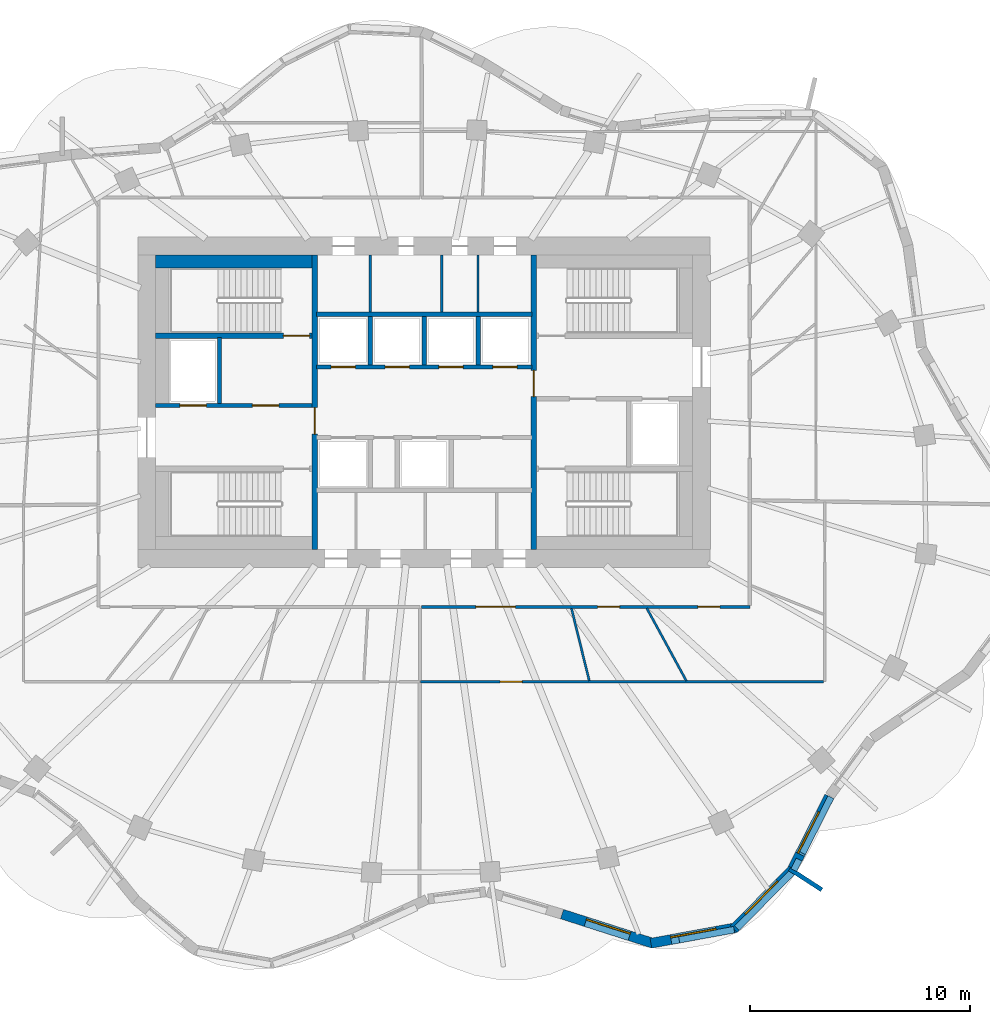
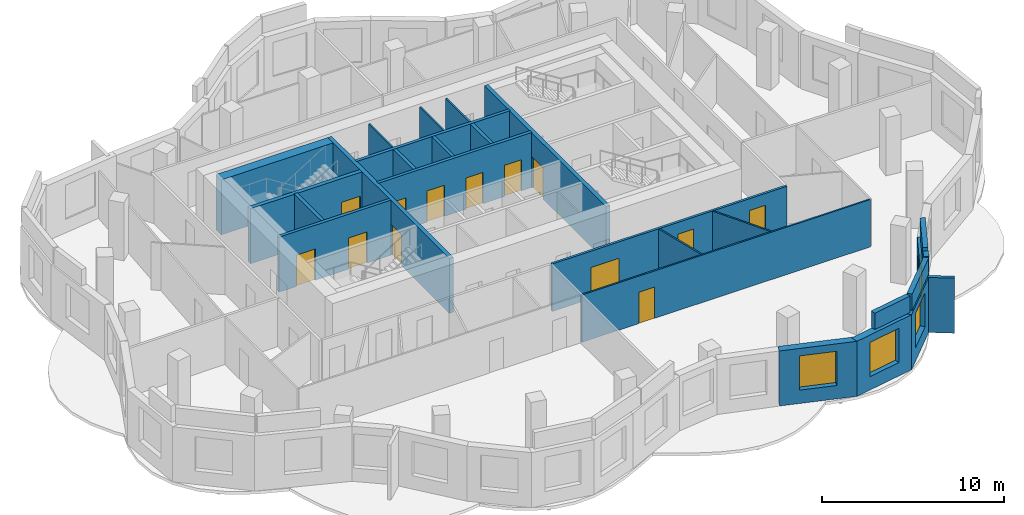
# One storey, part 5 of 10: 27 walls, 13 doors, 4 windows, 17 openings.
"""IFC4 building model written with IfcOpenShell, lengths in metres."""

from ifc_helpers import new_model, si_unit, direction, frame, frame_2d, origin, place, context, subcontext, project, spatial, rectangle, extrude, material, layer, layer_set, type_object, element, fill, save


model = new_model("IFC4")

# Units and contexts
model_context = context("Model", 3, precision=1e-05, world=origin(), true_north=direction((0.0, 1.0)))
body_context = subcontext(model_context, "Body", "Model", "MODEL_VIEW")
ifc_project = project(units=[si_unit("LENGTHUNIT", "METRE"), si_unit("AREAUNIT", "SQUARE_METRE"), si_unit("VOLUMEUNIT", "CUBIC_METRE"), si_unit("PLANEANGLEUNIT", "RADIAN"), si_unit("MASSUNIT", "GRAM", prefix="KILO")], contexts=[model_context])

# Site, building, storey
site_placement = place(None, origin())
site = spatial("IfcSite", under=ifc_project, at=site_placement, CompositionType="ELEMENT")
building_placement = place(site_placement, origin())
building = spatial("IfcBuilding", under=site, at=building_placement, Name="Rubra Terraces Tower", CompositionType="ELEMENT")
storey_placement = place(building_placement, frame((0.0, 0.0, 296.10009765625)))
storey = spatial("IfcBuildingStorey", under=building, at=storey_placement, Name="L73", CompositionType="ELEMENT", Elevation=296.10009765625)

# Wall, opening, window
ifc_material_1 = material(Name="Brick masonry red-brown", Category="masonry")
ifc_layer_1 = layer(ifc_material_1, 0.449951171875)
ifc_layer_set_1 = layer_set([ifc_layer_1], Name="Brick masonry red-brown")
wall_type_1 = type_object("IfcWallType", Name="Brick facade wall 450", PredefinedType="SOLIDWALL", material=ifc_layer_set_1)
wall_1_placement = place(storey_placement, frame((6.264404296875, -18.758544921875, 0.0), z_axis=(0.0, 0.0, 1.0), x_axis=(0.952259303219, -0.305290385423, 0.0)))
wall_1 = element("IfcWall", 1, at=wall_1_placement, inside=storey, type_object=wall_type_1, Name="Facade wall L73 bay 33", PredefinedType="SOLIDWALL", context=body_context, shape_type="SweptSolid", body=[
    extrude(rectangle(XDim=4.354248046875, YDim=0.449951171875, at=frame_2d((2.17724609375, 0.0))), origin(), (0.0, 0.0, 1.0), 3.699951171875),
])
opening_1_placement = place(wall_1_placement, frame((1.127197265625, 0.0, 0.89990234375)))
opening_1 = element("IfcOpeningElement", 2, at=opening_1_placement, cuts=wall_1, Name="Opening W1B", PredefinedType="OPENING", context=body_context, shape_type="SweptSolid", body=[
    extrude(rectangle(XDim=2.10009765625, YDim=2.300048828125, at=frame_2d((1.050048828125, 1.14990234375))), frame((0.0, 0.23486328125, 0.0), z_axis=(0.0, -1.0, 0.0), x_axis=(1.0, 0.0, 0.0)), (0.0, 0.0, 1.0), 0.469970703125),
])
ifc_material_2 = material(Name="Clear glass in aluminium frame", Category="aluminium")
window_type = type_object("IfcWindowType", Name="Fixed deep-set window tall storey 2100 x 2300", PartitioningType="SINGLE_PANEL", PredefinedType="WINDOW", material=ifc_material_2)
window_1_placement = place(opening_1_placement, origin())
window_1 = element("IfcWindow", 3, at=window_1_placement, inside=storey, type_object=window_type, Name="Window L73 bay 33", OverallHeight=2.300048828125, OverallWidth=2.10009765625, PartitioningType="SINGLE_PANEL", PredefinedType="WINDOW", context=body_context, shape_type="SweptSolid", body=[
    extrude(rectangle(XDim=2.10009765625, YDim=2.300048828125, at=frame_2d((1.050048828125, 1.14990234375))), frame((0.0, 0.135009765625, 0.0), z_axis=(0.0, -1.0, 0.0), x_axis=(1.0, 0.0, 0.0)), (0.0, 0.0, 1.0), 0.06005859375),
])
fill(opening_1, window_1)

wall_2_placement = place(storey_placement, frame((10.304443359375, -20.081787109375, 0.0), z_axis=(0.0, 0.0, 1.0), x_axis=(0.983644868335, 0.180118774698, 0.0)))
wall_2 = element("IfcWall", 4, at=wall_2_placement, inside=storey, type_object=wall_type_1, Name="Facade wall L73 bay 34", PredefinedType="SOLIDWALL", context=body_context, shape_type="SweptSolid", body=[
    extrude(rectangle(XDim=3.953857421875, YDim=0.449951171875, at=frame_2d((1.97705078125, 0.0))), origin(), (0.0, 0.0, 1.0), 3.699951171875),
])
opening_2_placement = place(wall_2_placement, frame((0.9267578125, 0.0, 0.89990234375)))
opening_2 = element("IfcOpeningElement", 5, at=opening_2_placement, cuts=wall_2, Name="Opening W1B", PredefinedType="OPENING", context=body_context, shape_type="SweptSolid", body=[
    extrude(rectangle(XDim=2.10009765625, YDim=2.300048828125, at=frame_2d((1.050048828125, 1.14990234375))), frame((0.0, 0.23486328125, 0.0), z_axis=(0.0, -1.0, 0.0), x_axis=(1.0, 0.0, 0.0)), (0.0, 0.0, 1.0), 0.469970703125),
])
window_2_placement = place(opening_2_placement, origin())
window_2 = element("IfcWindow", 6, at=window_2_placement, inside=storey, type_object=window_type, Name="Window L73 bay 34", OverallHeight=2.300048828125, OverallWidth=2.10009765625, PartitioningType="SINGLE_PANEL", PredefinedType="WINDOW", context=body_context, shape_type="SweptSolid", body=[
    extrude(rectangle(XDim=2.10009765625, YDim=2.300048828125, at=frame_2d((1.050048828125, 1.14990234375))), frame((0.0, 0.135009765625, 0.0), z_axis=(0.0, -1.0, 0.0), x_axis=(1.0, 0.0, 0.0)), (0.0, 0.0, 1.0), 0.06005859375),
])
fill(opening_2, window_2)

wall_3_placement = place(storey_placement, frame((14.073974609375, -19.432861328125, 0.0), z_axis=(0.0, 0.0, 1.0), x_axis=(0.702451084622, 0.711732023808, 0.0)))
wall_3 = element("IfcWall", 7, at=wall_3_placement, inside=storey, type_object=wall_type_1, Name="Facade wall L73 bay 35", PredefinedType="SOLIDWALL", context=body_context, shape_type="SweptSolid", body=[
    extrude(rectangle(XDim=3.7880859375, YDim=0.449951171875, at=frame_2d((1.89404296875, 0.0))), origin(), (0.0, 0.0, 1.0), 3.699951171875),
])
opening_3_placement = place(wall_3_placement, frame((0.843994140625, 0.0, 0.89990234375)))
opening_3 = element("IfcOpeningElement", 8, at=opening_3_placement, cuts=wall_3, Name="Opening W1B", PredefinedType="OPENING", context=body_context, shape_type="SweptSolid", body=[
    extrude(rectangle(XDim=2.10009765625, YDim=2.300048828125, at=frame_2d((1.050048828125, 1.14990234375))), frame((0.0, 0.23486328125, 0.0), z_axis=(0.0, -1.0, 0.0), x_axis=(1.0, 0.0, 0.0)), (0.0, 0.0, 1.0), 0.469970703125),
])
window_3_placement = place(opening_3_placement, origin())
window_3 = element("IfcWindow", 9, at=window_3_placement, inside=storey, type_object=window_type, Name="Window L73 bay 35", OverallHeight=2.300048828125, OverallWidth=2.10009765625, PartitioningType="SINGLE_PANEL", PredefinedType="WINDOW", context=body_context, shape_type="SweptSolid", body=[
    extrude(rectangle(XDim=2.10009765625, YDim=2.300048828125, at=frame_2d((1.050048828125, 1.14990234375))), frame((0.0, 0.135009765625, 0.0), z_axis=(0.0, -1.0, 0.0), x_axis=(1.0, 0.0, 0.0)), (0.0, 0.0, 1.0), 0.06005859375),
])
fill(opening_3, window_3)

wall_4_placement = place(storey_placement, frame((16.697021484375, -16.7880859375, 0.0), z_axis=(0.0, 0.0, 1.0), x_axis=(0.453390768189, 0.891311848525, 0.0)))
wall_4 = element("IfcWall", 10, at=wall_4_placement, inside=storey, type_object=wall_type_1, Name="Facade wall L73 bay 36", PredefinedType="SOLIDWALL", context=body_context, shape_type="SweptSolid", body=[
    extrude(rectangle(XDim=3.78759765625, YDim=0.449951171875, at=frame_2d((1.893798828125, 0.0))), origin(), (0.0, 0.0, 1.0), 3.699951171875),
])
opening_4_placement = place(wall_4_placement, frame((0.843994140625, 0.0, 0.89990234375)))
opening_4 = element("IfcOpeningElement", 11, at=opening_4_placement, cuts=wall_4, Name="Opening W1B", PredefinedType="OPENING", context=body_context, shape_type="SweptSolid", body=[
    extrude(rectangle(XDim=2.10009765625, YDim=2.300048828125, at=frame_2d((1.050048828125, 1.14990234375))), frame((0.0, 0.23486328125, 0.0), z_axis=(0.0, -1.0, 0.0), x_axis=(1.0, 0.0, 0.0)), (0.0, 0.0, 1.0), 0.469970703125),
])
window_4_placement = place(opening_4_placement, origin())
window_4 = element("IfcWindow", 12, at=window_4_placement, inside=storey, type_object=window_type, Name="Window L73 bay 36", OverallHeight=2.300048828125, OverallWidth=2.10009765625, PartitioningType="SINGLE_PANEL", PredefinedType="WINDOW", context=body_context, shape_type="SweptSolid", body=[
    extrude(rectangle(XDim=2.10009765625, YDim=2.300048828125, at=frame_2d((1.050048828125, 1.14990234375))), frame((0.0, 0.135009765625, 0.0), z_axis=(0.0, -1.0, 0.0), x_axis=(1.0, 0.0, 0.0)), (0.0, 0.0, 1.0), 0.06005859375),
])
fill(opening_4, window_4)

# Walls
ifc_layer_2 = layer(ifc_material_1, 0.300048828125)
ifc_layer_set_2 = layer_set([ifc_layer_2], Name="Brick masonry red-brown")
wall_type_2 = type_object("IfcWallType", Name="Brick parapet 300", PredefinedType="PARAPET", material=ifc_layer_set_2)
wall_5_placement = place(storey_placement, frame((11.586669921875, -19.923095703125, 3.89990234375), z_axis=(0.0, 0.0, 1.0), x_axis=(0.983652285329, 0.180078265118, 0.0)))
element("IfcWall", 13, at=wall_5_placement, inside=storey, type_object=wall_type_2, Name="Parapet L73 bay 34", PredefinedType="PARAPET", context=body_context, shape_type="SweptSolid", body=[
    extrude(rectangle(XDim=2.539306640625, YDim=0.300048828125, at=frame_2d((1.26953125, 0.0))), origin(), (0.0, 0.0, 1.0), 1.10009765625),
])
wall_6_placement = place(storey_placement, frame((14.21484375, -19.39697265625, 3.89990234375), z_axis=(0.0, 0.0, 1.0), x_axis=(0.702463448063, 0.711719821373, 0.0)))
element("IfcWall", 14, at=wall_6_placement, inside=storey, type_object=wall_type_2, Name="Parapet L73 bay 35", PredefinedType="PARAPET", context=body_context, shape_type="SweptSolid", body=[
    extrude(rectangle(XDim=3.587158203125, YDim=0.300048828125, at=frame_2d((1.79345703125, 0.0))), origin(), (0.0, 0.0, 1.0), 1.10009765625),
])
wall_7_placement = place(storey_placement, frame((16.796142578125, -16.758544921875, 3.89990234375), z_axis=(0.0, 0.0, 1.0), x_axis=(0.453387528551, 0.89131349645, 0.0)))
element("IfcWall", 15, at=wall_7_placement, inside=storey, type_object=wall_type_2, Name="Parapet L73 bay 36", PredefinedType="PARAPET", context=body_context, shape_type="SweptSolid", body=[
    extrude(rectangle(XDim=0.536865234375, YDim=0.300048828125, at=frame_2d((0.2685546875, 0.0))), origin(), (0.0, 0.0, 1.0), 1.10009765625),
])
wall_8_placement = place(storey_placement, frame((17.18896484375, -15.986083984375, 3.89990234375), z_axis=(0.0, 0.0, 1.0), x_axis=(0.453374811941, 0.891319964938, 0.0)))
element("IfcWall", 16, at=wall_8_placement, inside=storey, type_object=wall_type_2, Name="Parapet L73 bay 36.2", PredefinedType="PARAPET", context=body_context, shape_type="SweptSolid", body=[
    extrude(rectangle(XDim=2.84814453125, YDim=0.300048828125, at=frame_2d((1.424072265625, 0.0))), origin(), (0.0, 0.0, 1.0), 1.10009765625),
])
ifc_layer_3 = layer(ifc_material_1, 0.199951171875)
ifc_layer_set_3 = layer_set([ifc_layer_3], Name="Brick masonry red-brown")
wall_type_3 = type_object("IfcWallType", Name="Brick wind fin 200", PredefinedType="SOLIDWALL", material=ifc_layer_set_3)
wall_9_placement = place(storey_placement, frame((16.60205078125, -16.702880859375, 0.0), z_axis=(0.0, 0.0, 1.0), x_axis=(0.8390232549, -0.54409555938, 0.0)))
element("IfcWall", 17, at=wall_9_placement, inside=storey, type_object=wall_type_3, Name="Wind fin L73 18", PredefinedType="SOLIDWALL", context=body_context, shape_type="SweptSolid", body=[
    extrude(rectangle(XDim=1.75, YDim=0.199951171875, at=frame_2d((0.875, 0.0))), origin(), (0.0, 0.0, 1.0), 3.699951171875),
])

# Wall, openings, doors
ifc_material_3 = material(Name="Plasterboard on steel stud, mineral wool infill", Category="steel")
ifc_layer_4 = layer(ifc_material_3, 0.14990234375)
ifc_layer_set_4 = layer_set([ifc_layer_4], Name="Plasterboard on steel stud, mineral wool infill")
wall_type_4 = type_object("IfcWallType", Name="CORRIDOR PARTITION 150", PredefinedType="PARTITIONING", material=ifc_layer_set_4)
wall_10_placement = place(storey_placement, frame((-0.1103515625, -4.800048828125, 0.0), z_axis=(0.0, 0.0, 1.0), x_axis=(1.0, 0.0, 0.0)))
wall_10 = element("IfcWall", 18, at=wall_10_placement, inside=storey, type_object=wall_type_4, Name="PARTITION", PredefinedType="PARTITIONING", context=body_context, shape_type="SweptSolid", body=[
    extrude(rectangle(XDim=14.910400390625, YDim=0.14990234375, at=frame_2d((7.455078125, 0.0))), origin(), (0.0, 0.0, 1.0), 3.197998046875),
])
opening_5_placement = place(wall_10_placement, frame((2.45703125, 0.0, 0.0)))
opening_5 = element("IfcOpeningElement", 19, at=opening_5_placement, cuts=wall_10, Name="Opening 73-118", PredefinedType="OPENING", context=body_context, shape_type="SweptSolid", body=[
    extrude(rectangle(XDim=1.800048828125, YDim=2.10009765625, at=frame_2d((0.89990234375, 1.050048828125))), frame((0.0, 0.0849609375, 0.0), z_axis=(0.0, -1.0, 0.0), x_axis=(1.0, 0.0, 0.0)), (0.0, 0.0, 1.0), 0.169921875),
])
opening_6_placement = place(wall_10_placement, frame((7.991943359375, 0.0, 0.0)))
opening_6 = element("IfcOpeningElement", 20, at=opening_6_placement, cuts=wall_10, Name="Opening 73-120", PredefinedType="OPENING", context=body_context, shape_type="SweptSolid", body=[
    extrude(rectangle(XDim=1.0, YDim=2.39990234375, at=frame_2d((0.5, 1.199951171875))), frame((0.0, 0.0849609375, 0.0), z_axis=(0.0, -1.0, 0.0), x_axis=(1.0, 0.0, 0.0)), (0.0, 0.0, 1.0), 0.169921875),
])
opening_7_placement = place(wall_10_placement, frame((12.549072265625, 0.0, 0.0)))
opening_7 = element("IfcOpeningElement", 21, at=opening_7_placement, cuts=wall_10, Name="Opening 73-121", PredefinedType="OPENING", context=body_context, shape_type="SweptSolid", body=[
    extrude(rectangle(XDim=1.0, YDim=2.39990234375, at=frame_2d((0.5, 1.199951171875))), frame((0.0, 0.0849609375, 0.0), z_axis=(0.0, -1.0, 0.0), x_axis=(1.0, 0.0, 0.0)), (0.0, 0.0, 1.0), 0.169921875),
])
ifc_material_4 = material(Name="Glazed aluminium meeting door leaf", Category="aluminium")
door_type_1 = type_object("IfcDoorType", Name="MEETING ROOM GLAZED DOOR 1000 X 2400", OperationType="SINGLE_SWING_LEFT", PredefinedType="DOOR", material=ifc_material_4)
door_1_placement = place(opening_6_placement, origin())
door_1 = element("IfcDoor", 22, at=door_1_placement, inside=storey, type_object=door_type_1, Name="DOOR 73-120", OperationType="SINGLE_SWING_RIGHT", OverallHeight=2.39990234375, OverallWidth=1.0, PredefinedType="DOOR", context=body_context, shape_type="SweptSolid", body=[
    extrude(rectangle(XDim=1.0, YDim=2.39990234375, at=frame_2d((0.5, 1.199951171875))), frame((0.0, 0.02490234375, 0.0), z_axis=(0.0, -1.0, 0.0), x_axis=(1.0, 0.0, 0.0)), (0.0, 0.0, 1.0), 0.050048828125),
])
fill(opening_6, door_1)
door_2_placement = place(opening_7_placement, origin())
door_2 = element("IfcDoor", 23, at=door_2_placement, inside=storey, type_object=door_type_1, Name="DOOR 73-121", OperationType="SINGLE_SWING_RIGHT", OverallHeight=2.39990234375, OverallWidth=1.0, PredefinedType="DOOR", context=body_context, shape_type="SweptSolid", body=[
    extrude(rectangle(XDim=1.0, YDim=2.39990234375, at=frame_2d((0.5, 1.199951171875))), frame((0.0, 0.02490234375, 0.0), z_axis=(0.0, -1.0, 0.0), x_axis=(1.0, 0.0, 0.0)), (0.0, 0.0, 1.0), 0.050048828125),
])
fill(opening_7, door_2)
ifc_material_5 = material(Name="Painted timber door leaf, double", Category="wood")
door_type_2 = type_object("IfcDoorType", Name="ROOM DOUBLE DOOR 1800 X 2100", OperationType="DOUBLE_DOOR_SINGLE_SWING", PredefinedType="DOOR", material=ifc_material_5)
door_3_placement = place(opening_5_placement, origin())
door_3 = element("IfcDoor", 24, at=door_3_placement, inside=storey, type_object=door_type_2, Name="DOOR 73-118", OperationType="DOUBLE_DOOR_SINGLE_SWING", OverallHeight=2.10009765625, OverallWidth=1.800048828125, PredefinedType="DOOR", context=body_context, shape_type="SweptSolid", body=[
    extrude(rectangle(XDim=1.800048828125, YDim=2.10009765625, at=frame_2d((0.89990234375, 1.050048828125))), frame((0.0, 0.02490234375, 0.0), z_axis=(0.0, -1.0, 0.0), x_axis=(1.0, 0.0, 0.0)), (0.0, 0.0, 1.0), 0.050048828125),
])
fill(opening_5, door_3)

# Wall
ifc_material_6 = material(Name="Concrete C40", Category="concrete")
ifc_layer_5 = layer(ifc_material_6, 0.60009765625)
ifc_layer_set_5 = layer_set([ifc_layer_5], Name="Concrete C40")
wall_type_5 = type_object("IfcWallType", Name="Core lining wall 600 concrete", PredefinedType="SOLIDWALL", material=ifc_layer_set_5)
wall_11_placement = place(storey_placement, frame((-12.199951171875, 10.89990234375, 0.0), z_axis=(0.0, 0.0, 1.0), x_axis=(1.0, 0.0, 0.0)))
element("IfcWall", 25, at=wall_11_placement, inside=storey, type_object=wall_type_5, Name="CORE LINING WALL L73", PredefinedType="SOLIDWALL", context=body_context, shape_type="SweptSolid", body=[
    extrude(rectangle(XDim=7.099853515625, YDim=0.60009765625, at=frame_2d((3.5498046875, 0.0))), origin(), (0.0, 0.0, 1.0), 3.699951171875),
])

# Wall, openings, doors
ifc_material_7 = material(Name="Concrete C30", Category="concrete")
ifc_layer_6 = layer(ifc_material_7, 0.199951171875)
ifc_layer_set_6 = layer_set([ifc_layer_6], Name="Concrete C30")
wall_type_6 = type_object("IfcWallType", Name="Core wall 200 concrete", PredefinedType="SOLIDWALL", material=ifc_layer_set_6)
wall_12_placement = place(storey_placement, frame((-12.199951171875, 4.35009765625, 0.0), z_axis=(0.0, 0.0, 1.0), x_axis=(1.0, 0.0, 0.0)))
wall_12 = element("IfcWall", 26, at=wall_12_placement, inside=storey, type_object=wall_type_6, Name="STAIR WALL L73", PredefinedType="SOLIDWALL", context=body_context, shape_type="SweptSolid", body=[
    extrude(rectangle(XDim=7.099853515625, YDim=0.199951171875, at=frame_2d((3.5498046875, 0.0))), origin(), (0.0, 0.0, 1.0), 3.699951171875),
])
opening_8_placement = place(wall_12_placement, frame((4.39990234375, 0.0, 0.0)))
opening_8 = element("IfcOpeningElement", 27, at=opening_8_placement, cuts=wall_12, Name="Opening L73.C05", PredefinedType="OPENING", context=body_context, shape_type="SweptSolid", body=[
    extrude(rectangle(XDim=1.199951171875, YDim=2.10009765625, at=frame_2d((0.60009765625, 1.050048828125))), frame((0.0, 0.10986328125, 0.0), z_axis=(0.0, -1.0, 0.0), x_axis=(1.0, 0.0, 0.0)), (0.0, 0.0, 1.0), 0.219970703125),
])
opening_9_placement = place(wall_12_placement, frame((1.10009765625, 0.0, 0.0)))
opening_9 = element("IfcOpeningElement", 28, at=opening_9_placement, cuts=wall_12, Name="Opening L73.C11", PredefinedType="OPENING", context=body_context, shape_type="SweptSolid", body=[
    extrude(rectangle(XDim=1.199951171875, YDim=2.10009765625, at=frame_2d((0.60009765625, 1.050048828125))), frame((0.0, 0.10986328125, 0.0), z_axis=(0.0, -1.0, 0.0), x_axis=(1.0, 0.0, 0.0)), (0.0, 0.0, 1.0), 0.219970703125),
])
ifc_material_8 = material(Name="Painted steel", Category="steel")
door_type_3 = type_object("IfcDoorType", Name="Fire door 1200x2100 single", OperationType="NOTDEFINED", PredefinedType="DOOR", material=ifc_material_8)
door_4_placement = place(opening_8_placement, origin())
door_4 = element("IfcDoor", 29, at=door_4_placement, inside=storey, type_object=door_type_3, Name="Stair vestibule door S2", OperationType="SINGLE_SWING_LEFT", OverallHeight=2.10009765625, OverallWidth=1.199951171875, PredefinedType="DOOR", context=body_context, shape_type="SweptSolid", body=[
    extrude(rectangle(XDim=1.199951171875, YDim=2.10009765625, at=frame_2d((0.60009765625, 1.050048828125))), frame((0.0, 0.02490234375, 0.0), z_axis=(0.0, -1.0, 0.0), x_axis=(1.0, 0.0, 0.0)), (0.0, 0.0, 1.0), 0.050048828125),
])
fill(opening_8, door_4)
ifc_material_9 = material(Name="Stainless steel", Category="steel")
door_type_4 = type_object("IfcDoorType", Name="Lift landing door 1200x2100", OperationType="NOTDEFINED", PredefinedType="DOOR", material=ifc_material_9)
door_5_placement = place(opening_9_placement, origin())
door_5 = element("IfcDoor", 30, at=door_5_placement, inside=storey, type_object=door_type_4, Name="Landing door FF1", OperationType="SLIDING_TO_RIGHT", OverallHeight=2.10009765625, OverallWidth=1.199951171875, PredefinedType="DOOR", context=body_context, shape_type="SweptSolid", body=[
    extrude(rectangle(XDim=1.199951171875, YDim=2.10009765625, at=frame_2d((0.60009765625, 1.050048828125))), frame((0.0, 0.02490234375, 0.0), z_axis=(0.0, -1.0, 0.0), x_axis=(1.0, 0.0, 0.0)), (0.0, 0.0, 1.0), 0.050048828125),
])
fill(opening_9, door_5)

# Wall
wall_13_placement = place(storey_placement, frame((-9.300048828125, 4.449951171875, 0.0), z_axis=(0.0, 0.0, 1.0), x_axis=(0.0, 1.0, 0.0)))
element("IfcWall", 31, at=wall_13_placement, inside=storey, type_object=wall_type_6, Name="STAIR WALL L73", PredefinedType="SOLIDWALL", context=body_context, shape_type="SweptSolid", body=[
    extrude(rectangle(XDim=3.0, YDim=0.199951171875, at=frame_2d((1.5, 0.0))), origin(), (0.0, 0.0, 1.0), 3.699951171875),
])

# Wall, openings, doors
wall_14_placement = place(storey_placement, frame((-4.89990234375, 6.10009765625, 0.0), z_axis=(0.0, 0.0, 1.0), x_axis=(1.0, 0.0, 0.0)))
wall_14 = element("IfcWall", 32, at=wall_14_placement, inside=storey, type_object=wall_type_6, Name="LIFT SHAFT WALL L73", PredefinedType="SOLIDWALL", context=body_context, shape_type="SweptSolid", body=[
    extrude(rectangle(XDim=9.7998046875, YDim=0.199951171875, at=frame_2d((4.89990234375, 0.0))), origin(), (0.0, 0.0, 1.0), 3.699951171875),
])
opening_10_placement = place(wall_14_placement, frame((0.675048828125, 0.0, 0.0)))
opening_10 = element("IfcOpeningElement", 33, at=opening_10_placement, cuts=wall_14, Name="Opening L73.C17", PredefinedType="OPENING", context=body_context, shape_type="SweptSolid", body=[
    extrude(rectangle(XDim=1.10009765625, YDim=2.10009765625, at=frame_2d((0.550048828125, 1.050048828125))), frame((0.0, 0.10986328125, 0.0), z_axis=(0.0, -1.0, 0.0), x_axis=(1.0, 0.0, 0.0)), (0.0, 0.0, 1.0), 0.219970703125),
])
opening_11_placement = place(wall_14_placement, frame((3.125, 0.0, 0.0)))
opening_11 = element("IfcOpeningElement", 34, at=opening_11_placement, cuts=wall_14, Name="Opening L73.C18", PredefinedType="OPENING", context=body_context, shape_type="SweptSolid", body=[
    extrude(rectangle(XDim=1.10009765625, YDim=2.10009765625, at=frame_2d((0.550048828125, 1.050048828125))), frame((0.0, 0.10986328125, 0.0), z_axis=(0.0, -1.0, 0.0), x_axis=(1.0, 0.0, 0.0)), (0.0, 0.0, 1.0), 0.219970703125),
])
opening_12_placement = place(wall_14_placement, frame((5.574951171875, 0.0, 0.0)))
opening_12 = element("IfcOpeningElement", 35, at=opening_12_placement, cuts=wall_14, Name="Opening L73.C19", PredefinedType="OPENING", context=body_context, shape_type="SweptSolid", body=[
    extrude(rectangle(XDim=1.10009765625, YDim=2.10009765625, at=frame_2d((0.550048828125, 1.050048828125))), frame((0.0, 0.10986328125, 0.0), z_axis=(0.0, -1.0, 0.0), x_axis=(1.0, 0.0, 0.0)), (0.0, 0.0, 1.0), 0.219970703125),
])
opening_13_placement = place(wall_14_placement, frame((8.02490234375, 0.0, 0.0)))
opening_13 = element("IfcOpeningElement", 36, at=opening_13_placement, cuts=wall_14, Name="Opening L73.C20", PredefinedType="OPENING", context=body_context, shape_type="SweptSolid", body=[
    extrude(rectangle(XDim=1.10009765625, YDim=2.10009765625, at=frame_2d((0.550048828125, 1.050048828125))), frame((0.0, 0.10986328125, 0.0), z_axis=(0.0, -1.0, 0.0), x_axis=(1.0, 0.0, 0.0)), (0.0, 0.0, 1.0), 0.219970703125),
])
door_type_5 = type_object("IfcDoorType", Name="Lift landing door 1100x2100", OperationType="NOTDEFINED", PredefinedType="DOOR", material=ifc_material_9)
door_6_placement = place(opening_10_placement, origin())
door_6 = element("IfcDoor", 37, at=door_6_placement, inside=storey, type_object=door_type_5, Name="Landing door HB3", OperationType="SLIDING_TO_RIGHT", OverallHeight=2.10009765625, OverallWidth=1.10009765625, PredefinedType="DOOR", context=body_context, shape_type="SweptSolid", body=[
    extrude(rectangle(XDim=1.10009765625, YDim=2.10009765625, at=frame_2d((0.550048828125, 1.050048828125))), frame((0.0, 0.02490234375, 0.0), z_axis=(0.0, -1.0, 0.0), x_axis=(1.0, 0.0, 0.0)), (0.0, 0.0, 1.0), 0.050048828125),
])
fill(opening_10, door_6)
door_7_placement = place(opening_11_placement, origin())
door_7 = element("IfcDoor", 38, at=door_7_placement, inside=storey, type_object=door_type_5, Name="Landing door HB4", OperationType="SLIDING_TO_LEFT", OverallHeight=2.10009765625, OverallWidth=1.10009765625, PredefinedType="DOOR", context=body_context, shape_type="SweptSolid", body=[
    extrude(rectangle(XDim=1.10009765625, YDim=2.10009765625, at=frame_2d((0.550048828125, 1.050048828125))), frame((0.0, 0.02490234375, 0.0), z_axis=(0.0, -1.0, 0.0), x_axis=(1.0, 0.0, 0.0)), (0.0, 0.0, 1.0), 0.050048828125),
])
fill(opening_11, door_7)
door_8_placement = place(opening_12_placement, origin())
door_8 = element("IfcDoor", 39, at=door_8_placement, inside=storey, type_object=door_type_5, Name="Landing door HB5", OperationType="SLIDING_TO_RIGHT", OverallHeight=2.10009765625, OverallWidth=1.10009765625, PredefinedType="DOOR", context=body_context, shape_type="SweptSolid", body=[
    extrude(rectangle(XDim=1.10009765625, YDim=2.10009765625, at=frame_2d((0.550048828125, 1.050048828125))), frame((0.0, 0.02490234375, 0.0), z_axis=(0.0, -1.0, 0.0), x_axis=(1.0, 0.0, 0.0)), (0.0, 0.0, 1.0), 0.050048828125),
])
fill(opening_12, door_8)
door_9_placement = place(opening_13_placement, origin())
door_9 = element("IfcDoor", 40, at=door_9_placement, inside=storey, type_object=door_type_5, Name="Landing door HB6", OperationType="SLIDING_TO_LEFT", OverallHeight=2.10009765625, OverallWidth=1.10009765625, PredefinedType="DOOR", context=body_context, shape_type="SweptSolid", body=[
    extrude(rectangle(XDim=1.10009765625, YDim=2.10009765625, at=frame_2d((0.550048828125, 1.050048828125))), frame((0.0, 0.02490234375, 0.0), z_axis=(0.0, -1.0, 0.0), x_axis=(1.0, 0.0, 0.0)), (0.0, 0.0, 1.0), 0.050048828125),
])
fill(opening_13, door_9)

# Walls
wall_15_placement = place(storey_placement, frame((-4.89990234375, 8.5, 0.0), z_axis=(0.0, 0.0, 1.0), x_axis=(1.0, 0.0, 0.0)))
element("IfcWall", 41, at=wall_15_placement, inside=storey, type_object=wall_type_6, Name="LIFT SHAFT WALL L73", PredefinedType="SOLIDWALL", context=body_context, shape_type="SweptSolid", body=[
    extrude(rectangle(XDim=9.7998046875, YDim=0.199951171875, at=frame_2d((4.89990234375, 0.0))), origin(), (0.0, 0.0, 1.0), 3.699951171875),
])
for number, where, z_axis, x_axis, name in (
    (42, (-2.449951171875, 6.199951171875, 0.0), (0.0, 0.0, 1.0), (0.0, 1.0, 0.0), "LIFT SHAFT WALL L73"),
    (43, (0.0, 6.199951171875, 0.0), (0.0, 0.0, 1.0), (0.0, 1.0, 0.0), "LIFT SHAFT WALL L73"),
    (44, (2.449951171875, 6.199951171875, 0.0), (0.0, 0.0, 1.0), (0.0, 1.0, 0.0), "LIFT SHAFT WALL L73"),
):
    element("IfcWall", number, at=place(storey_placement, frame(where, z_axis=z_axis, x_axis=x_axis)), inside=storey, type_object=wall_type_6, Name=name, PredefinedType="SOLIDWALL", context=body_context, shape_type="SweptSolid", body=[
        extrude(rectangle(XDim=2.199951171875, YDim=0.199951171875, at=frame_2d((1.10009765625, 0.0))), origin(), (0.0, 0.0, 1.0), 3.699951171875),
    ])

# Wall, opening, door
ifc_material_10 = material(Name="Plasterboard on steel stud", Category="steel")
ifc_layer_7 = layer(ifc_material_10, 0.10009765625)
ifc_layer_set_7 = layer_set([ifc_layer_7], Name="Plasterboard on steel stud")
wall_type_7 = type_object("IfcWallType", Name="ROOM PARTITION 100", PredefinedType="PARTITIONING", material=ifc_layer_set_7)
wall_16_placement = place(storey_placement, frame((18.14990234375, -8.199951171875, 0.0), z_axis=(0.0, 0.0, 1.0), x_axis=(-1.0, 0.0, 0.0)))
wall_16 = element("IfcWall", 45, at=wall_16_placement, inside=storey, type_object=wall_type_7, Name="PARTITION", PredefinedType="PARTITIONING", context=body_context, shape_type="SweptSolid", body=[
    extrude(rectangle(XDim=18.322509765625, YDim=0.10009765625, at=frame_2d((9.1611328125, 0.0))), origin(), (0.0, 0.0, 1.0), 3.183837890625),
])
opening_14_placement = place(wall_16_placement, frame((13.701904296875, 0.0, 0.0)))
opening_14 = element("IfcOpeningElement", 46, at=opening_14_placement, cuts=wall_16, Name="Opening 73-119", PredefinedType="OPENING", context=body_context, shape_type="SweptSolid", body=[
    extrude(rectangle(XDim=1.0, YDim=2.10009765625, at=frame_2d((0.5, 1.050048828125))), frame((0.0, 0.06005859375, 0.0), z_axis=(0.0, -1.0, 0.0), x_axis=(1.0, 0.0, 0.0)), (0.0, 0.0, 1.0), 0.1201171875),
])
ifc_material_11 = material(Name="Painted timber door leaf", Category="wood")
door_type_6 = type_object("IfcDoorType", Name="ROOM DOOR 1000 X 2100", OperationType="SINGLE_SWING_LEFT", PredefinedType="DOOR", material=ifc_material_11)
door_10_placement = place(opening_14_placement, origin())
door_10 = element("IfcDoor", 47, at=door_10_placement, inside=storey, type_object=door_type_6, Name="DOOR 73-119", OperationType="SINGLE_SWING_LEFT", OverallHeight=2.10009765625, OverallWidth=1.0, PredefinedType="DOOR", context=body_context, shape_type="SweptSolid", body=[
    extrude(rectangle(XDim=1.0, YDim=2.10009765625, at=frame_2d((0.5, 1.050048828125))), frame((0.0, 0.02490234375, 0.0), z_axis=(0.0, -1.0, 0.0), x_axis=(1.0, 0.0, 0.0)), (0.0, 0.0, 1.0), 0.050048828125),
])
fill(opening_14, door_10)

# Walls
wall_17_placement = place(storey_placement, frame((6.6953125, -4.872802734375, 0.0), z_axis=(0.0, 0.0, 1.0), x_axis=(0.23877358923, -0.971075266437, 0.0)))
element("IfcWall", 48, at=wall_17_placement, inside=storey, type_object=wall_type_7, Name="PARTITION", PredefinedType="PARTITIONING", context=body_context, shape_type="SweptSolid", body=[
    extrude(rectangle(XDim=3.376220703125, YDim=0.10009765625, at=frame_2d((1.68798828125, 0.0))), origin(), (0.0, 0.0, 1.0), 3.183837890625),
])
wall_18_placement = place(storey_placement, frame((10.12060546875, -4.865966796875, 0.0), z_axis=(0.0, 0.0, 1.0), x_axis=(0.478272150454, -0.878211677274, 0.0)))
element("IfcWall", 49, at=wall_18_placement, inside=storey, type_object=wall_type_7, Name="PARTITION", PredefinedType="PARTITIONING", context=body_context, shape_type="SweptSolid", body=[
    extrude(rectangle(XDim=3.746337890625, YDim=0.10009765625, at=frame_2d((1.873046875, 0.0))), origin(), (0.0, 0.0, 1.0), 3.183837890625),
])
ifc_material_12 = material(Name="Blockwork", Category="masonry")
ifc_layer_8 = layer(ifc_material_12, 0.10009765625)
ifc_layer_set_8 = layer_set([ifc_layer_8], Name="Blockwork")
wall_type_8 = type_object("IfcWallType", Name="Service partition 100 blockwork", PredefinedType="PARTITIONING", material=ifc_layer_set_8)
for number, where, z_axis, x_axis, name in (
    (50, (-2.449951171875, 8.60009765625, 0.0), (0.0, 0.0, 1.0), (0.0, 1.0, 0.0), "SERVICE ROOM PARTITION L73"),
    (51, (0.800048828125, 8.60009765625, 0.0), (0.0, 0.0, 1.0), (0.0, 1.0, 0.0), "SERVICE ROOM PARTITION L73"),
    (52, (2.449951171875, 8.60009765625, 0.0), (0.0, 0.0, 1.0), (0.0, 1.0, 0.0), "SERVICE ROOM PARTITION L73"),
):
    element("IfcWall", number, at=place(storey_placement, frame(where, z_axis=z_axis, x_axis=x_axis)), inside=storey, type_object=wall_type_8, Name=name, PredefinedType="PARTITIONING", context=body_context, shape_type="SweptSolid", body=[
        extrude(rectangle(XDim=2.599853515625, YDim=0.10009765625, at=frame_2d((1.2998046875, 0.0))), origin(), (0.0, 0.0, 1.0), 3.699951171875),
    ])

# Wall, opening, door
ifc_layer_9 = layer(ifc_material_6, 0.25)
ifc_layer_set_9 = layer_set([ifc_layer_9], Name="Concrete C40")
wall_type_9 = type_object("IfcWallType", Name="Stair enclosure wall 250 concrete", PredefinedType="SOLIDWALL", material=ifc_layer_set_9)
wall_19_placement = place(storey_placement, frame((-12.199951171875, 7.52490234375, 0.0), z_axis=(0.0, 0.0, 1.0), x_axis=(1.0, 0.0, 0.0)))
wall_19 = element("IfcWall", 53, at=wall_19_placement, inside=storey, type_object=wall_type_9, Name="STAIR WALL L73", PredefinedType="SOLIDWALL", context=body_context, shape_type="SweptSolid", body=[
    extrude(rectangle(XDim=7.099853515625, YDim=0.25, at=frame_2d((3.5498046875, 0.0))), origin(), (0.0, 0.0, 1.0), 3.699951171875),
])
opening_15_placement = place(wall_19_placement, frame((5.800048828125, 0.0, 0.0)))
opening_15 = element("IfcOpeningElement", 54, at=opening_15_placement, cuts=wall_19, Name="Opening L73.C09", PredefinedType="OPENING", context=body_context, shape_type="SweptSolid", body=[
    extrude(rectangle(XDim=1.199951171875, YDim=2.10009765625, at=frame_2d((0.60009765625, 1.050048828125))), frame((0.0, 0.135009765625, 0.0), z_axis=(0.0, -1.0, 0.0), x_axis=(1.0, 0.0, 0.0)), (0.0, 0.0, 1.0), 0.27001953125),
])
door_11_placement = place(opening_15_placement, origin())
door_11 = element("IfcDoor", 55, at=door_11_placement, inside=storey, type_object=door_type_3, Name="Stair door S2", OperationType="SINGLE_SWING_LEFT", OverallHeight=2.10009765625, OverallWidth=1.199951171875, PredefinedType="DOOR", context=body_context, shape_type="SweptSolid", body=[
    extrude(rectangle(XDim=1.199951171875, YDim=2.10009765625, at=frame_2d((0.60009765625, 1.050048828125))), frame((0.0, 0.02490234375, 0.0), z_axis=(0.0, -1.0, 0.0), x_axis=(1.0, 0.0, 0.0)), (0.0, 0.0, 1.0), 0.050048828125),
])
fill(opening_15, door_11)

wall_20_placement = place(storey_placement, frame((-4.97509765625, -2.199951171875, 0.0), z_axis=(0.0, 0.0, 1.0), x_axis=(0.0, 1.0, 0.0)))
wall_20 = element("IfcWall", 56, at=wall_20_placement, inside=storey, type_object=wall_type_9, Name="CORE LOBBY WALL L73", PredefinedType="SOLIDWALL", context=body_context, shape_type="SweptSolid", body=[
    extrude(rectangle(XDim=13.39990234375, YDim=0.25, at=frame_2d((6.699951171875, 0.0))), origin(), (0.0, 0.0, 1.0), 3.699951171875),
])
opening_16_placement = place(wall_20_placement, frame((5.25, 0.0, 0.0)))
opening_16 = element("IfcOpeningElement", 57, at=opening_16_placement, cuts=wall_20, Name="Opening L73.C03", PredefinedType="OPENING", context=body_context, shape_type="SweptSolid", body=[
    extrude(rectangle(XDim=1.199951171875, YDim=2.10009765625, at=frame_2d((0.60009765625, 1.050048828125))), frame((0.0, 0.135009765625, 0.0), z_axis=(0.0, -1.0, 0.0), x_axis=(1.0, 0.0, 0.0)), (0.0, 0.0, 1.0), 0.27001953125),
])
door_12_placement = place(opening_16_placement, origin())
door_12 = element("IfcDoor", 58, at=door_12_placement, inside=storey, type_object=door_type_3, Name="Firefighting lobby door FF1", OperationType="SINGLE_SWING_LEFT", OverallHeight=2.10009765625, OverallWidth=1.199951171875, PredefinedType="DOOR", context=body_context, shape_type="SweptSolid", body=[
    extrude(rectangle(XDim=1.199951171875, YDim=2.10009765625, at=frame_2d((0.60009765625, 1.050048828125))), frame((0.0, 0.02490234375, 0.0), z_axis=(0.0, -1.0, 0.0), x_axis=(1.0, 0.0, 0.0)), (0.0, 0.0, 1.0), 0.050048828125),
])
fill(opening_16, door_12)

wall_21_placement = place(storey_placement, frame((4.97509765625, 11.199951171875, 0.0), z_axis=(0.0, 0.0, 1.0), x_axis=(0.0, -1.0, 0.0)))
wall_21 = element("IfcWall", 59, at=wall_21_placement, inside=storey, type_object=wall_type_9, Name="CORE LOBBY WALL L73", PredefinedType="SOLIDWALL", context=body_context, shape_type="SweptSolid", body=[
    extrude(rectangle(XDim=13.39990234375, YDim=0.25, at=frame_2d((6.699951171875, 0.0))), origin(), (0.0, 0.0, 1.0), 3.699951171875),
])
opening_17_placement = place(wall_21_placement, frame((5.25, 0.0, 0.0)))
opening_17 = element("IfcOpeningElement", 60, at=opening_17_placement, cuts=wall_21, Name="Opening L73.C04", PredefinedType="OPENING", context=body_context, shape_type="SweptSolid", body=[
    extrude(rectangle(XDim=1.199951171875, YDim=2.10009765625, at=frame_2d((0.60009765625, 1.050048828125))), frame((0.0, 0.135009765625, 0.0), z_axis=(0.0, -1.0, 0.0), x_axis=(1.0, 0.0, 0.0)), (0.0, 0.0, 1.0), 0.27001953125),
])
door_13_placement = place(opening_17_placement, origin())
door_13 = element("IfcDoor", 61, at=door_13_placement, inside=storey, type_object=door_type_3, Name="Firefighting lobby door FF2", OperationType="SINGLE_SWING_RIGHT", OverallHeight=2.10009765625, OverallWidth=1.199951171875, PredefinedType="DOOR", context=body_context, shape_type="SweptSolid", body=[
    extrude(rectangle(XDim=1.199951171875, YDim=2.10009765625, at=frame_2d((0.60009765625, 1.050048828125))), frame((0.0, 0.02490234375, 0.0), z_axis=(0.0, -1.0, 0.0), x_axis=(1.0, 0.0, 0.0)), (0.0, 0.0, 1.0), 0.050048828125),
])
fill(opening_17, door_13)

save(model, "model.ifc")
